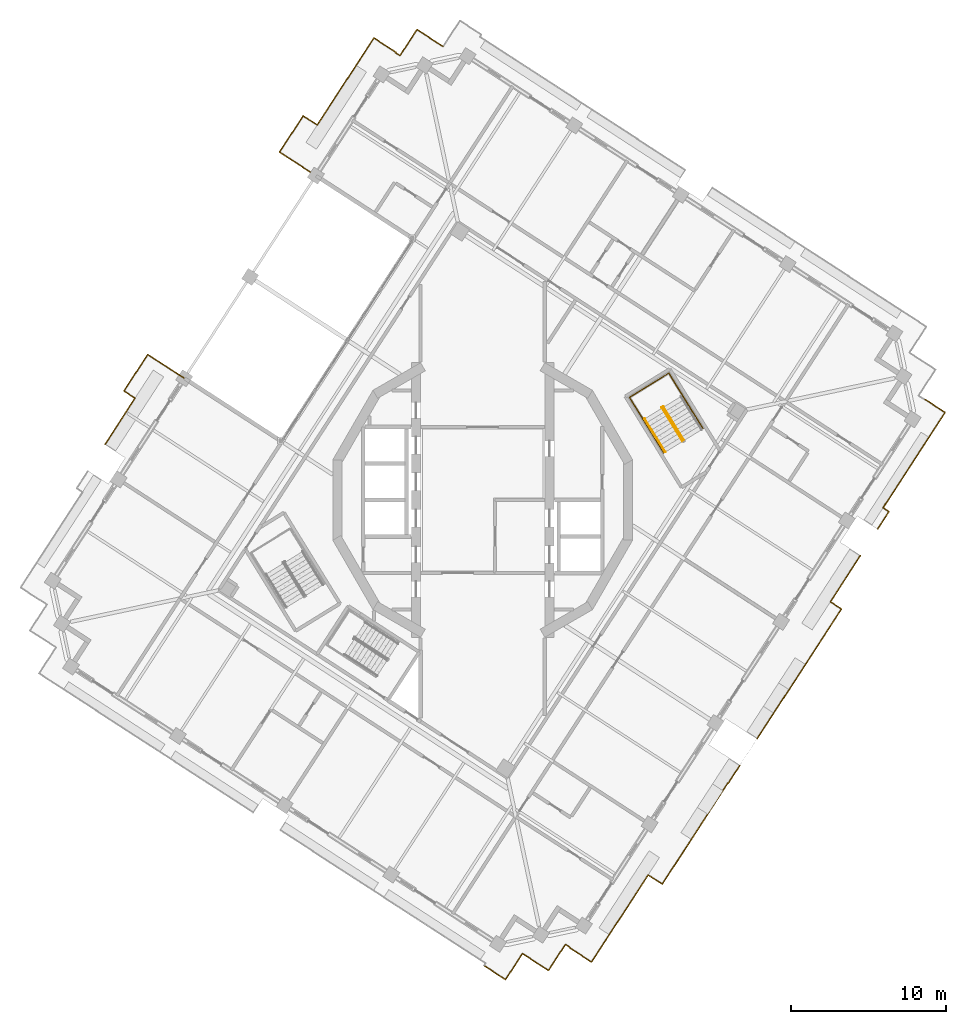
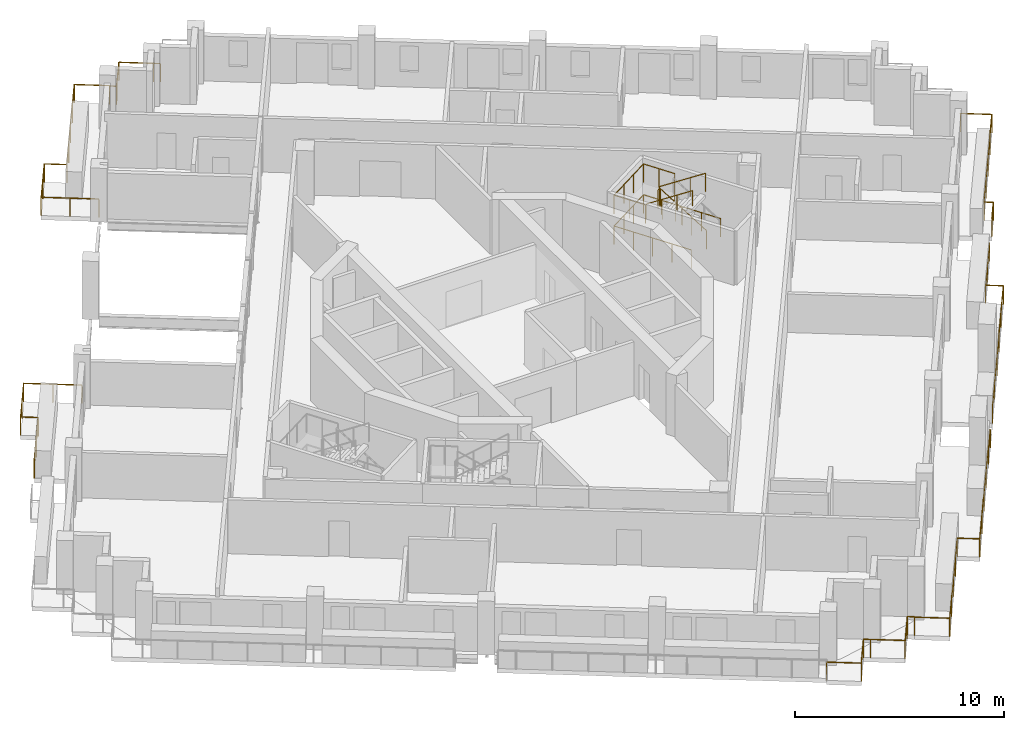
# One storey, part 14 of 17: 11 railings.
"""IFC4 building model written with IfcOpenShell, lengths in metres."""

from ifc_helpers import new_model, si_unit, direction, frame, origin, origin_2d, place, context, subcontext, project, spatial, circle, extrude, material, type_object, element, save


model = new_model("IFC4")

# Units and contexts
model_context = context("Model", 3, precision=1e-05, world=origin(), true_north=direction((0.0, 1.0)))
body_context = subcontext(model_context, "Body", "Model", "MODEL_VIEW")
ifc_project = project(units=[si_unit("LENGTHUNIT", "METRE"), si_unit("AREAUNIT", "SQUARE_METRE"), si_unit("VOLUMEUNIT", "CUBIC_METRE"), si_unit("PLANEANGLEUNIT", "RADIAN"), si_unit("MASSUNIT", "GRAM", prefix="KILO")], contexts=[model_context])

# Site, building, storey
site_placement = place(None, origin())
site = spatial("IfcSite", under=ifc_project, at=site_placement, CompositionType="ELEMENT")
building_placement = place(site_placement, origin())
building = spatial("IfcBuilding", under=site, at=building_placement, Name="Cantera Rosa Tower", CompositionType="ELEMENT")
storey_placement = place(building_placement, frame((0.0, 0.0, 286.5)))
storey = spatial("IfcBuildingStorey", under=building, at=storey_placement, Name="L65", CompositionType="ELEMENT", Elevation=286.5)

# Railings
ifc_material_1 = material(Name="Stainless steel and laminated glass", Category="steel")
railing_type_1 = type_object("IfcRailingType", Name="GUARD 1100", PredefinedType="BALUSTRADE", material=ifc_material_1)
railing_1_placement = place(storey_placement, frame((-22.405517578125, 6.5595703125, 0.0)))
element("IfcRailing", 1, at=railing_1_placement, inside=storey, type_object=railing_type_1, Name="GUARD L65-3", PredefinedType="BALUSTRADE", context=body_context, shape_type="SweptSolid", body=[
    extrude(circle(Radius=0.030029296875, at=origin_2d()), frame((0.0, 0.0, 1.070068359375), z_axis=(-0.838634313487, 0.544694857919, 0.0), x_axis=(-0.544694857919, -0.838634313487, 0.0)), (0.0, 0.0, 1.0), 0.84814453125),
    extrude(circle(Radius=0.030029296875, at=origin_2d()), frame((-0.711181640625, 0.4619140625, 1.070068359375), z_axis=(0.544640346053, 0.838669716546, 0.0), x_axis=(-0.838669716546, 0.544640346053, 0.0)), (0.0, 0.0, 1.0), 2.8115234375),
    extrude(circle(Radius=0.030029296875, at=origin_2d()), frame((0.820068359375, 2.81982421875, 1.070068359375), z_axis=(0.838677335934, -0.544628613084, 0.0), x_axis=(0.544628613084, 0.838677335934, 0.0)), (0.0, 0.0, 1.0), 2.791259765625),
    extrude(circle(Radius=0.02490234375, at=origin_2d()), origin(), (0.0, 0.0, 1.0), 1.0400390625),
    extrude(circle(Radius=0.02490234375, at=origin_2d()), frame((-0.711181640625, 0.4619140625, 0.0)), (0.0, 0.0, 1.0), 1.0400390625),
    extrude(circle(Radius=0.02490234375, at=origin_2d()), frame((0.054443359375, 1.640869140625, 0.0)), (0.0, 0.0, 1.0), 1.0400390625),
    extrude(circle(Radius=0.02490234375, at=origin_2d()), frame((0.820068359375, 2.81982421875, 0.0)), (0.0, 0.0, 1.0), 1.0400390625),
    extrude(circle(Radius=0.02490234375, at=origin_2d()), frame((1.99072265625, 2.0595703125, 0.0)), (0.0, 0.0, 1.0), 1.0400390625),
    extrude(circle(Radius=0.02490234375, at=origin_2d()), frame((3.1611328125, 1.299560546875, 0.0)), (0.0, 0.0, 1.0), 1.0400390625),
])
railing_2_placement = place(storey_placement, frame((-24.33251953125, 3.592041015625, 0.0)))
element("IfcRailing", 2, at=railing_2_placement, inside=storey, type_object=railing_type_1, Name="GUARD L65-4", PredefinedType="BALUSTRADE", context=body_context, shape_type="SweptSolid", body=[
    extrude(circle(Radius=0.030029296875, at=origin_2d()), frame((0.0, 0.0, 1.070068359375), z_axis=(0.544612376338, 0.83868787969, 0.0), x_axis=(-0.83868787969, 0.544612376338, 0.0)), (0.0, 0.0, 1.0), 3.538330078125),
    extrude(circle(Radius=0.02490234375, at=origin_2d()), origin(), (0.0, 0.0, 1.0), 1.0400390625),
    extrude(circle(Radius=0.02490234375, at=origin_2d()), frame((0.96337890625, 1.48388671875, 0.0)), (0.0, 0.0, 1.0), 1.0400390625),
    extrude(circle(Radius=0.02490234375, at=origin_2d()), frame((1.927001953125, 2.967529296875, 0.0)), (0.0, 0.0, 1.0), 1.0400390625),
])
railing_3_placement = place(storey_placement, frame((-10.769775390625, 20.908935546875, 0.0)))
element("IfcRailing", 3, at=railing_3_placement, inside=storey, type_object=railing_type_1, Name="GUARD L65-6", PredefinedType="BALUSTRADE", context=body_context, shape_type="SweptSolid", body=[
    extrude(circle(Radius=0.030029296875, at=origin_2d()), frame((0.0, 0.0, 1.070068359375), z_axis=(-0.83868139145, 0.544622367917, 0.0), x_axis=(-0.544622367917, -0.83868139145, 0.0)), (0.0, 0.0, 1.0), 2.76708984375),
    extrude(circle(Radius=0.030029296875, at=origin_2d()), frame((-2.32080078125, 1.507080078125, 1.070068359375), z_axis=(0.544674258578, 0.838647692445, 0.0), x_axis=(-0.838647692445, 0.544674258578, 0.0)), (0.0, 0.0, 1.0), 2.787109375),
    extrude(circle(Radius=0.030029296875, at=origin_2d()), frame((-0.802734375, 3.844482421875, 1.070068359375), z_axis=(0.838725681888, -0.544554157584, 0.0), x_axis=(0.544554157584, 0.838725681888, 0.0)), (0.0, 0.0, 1.0), 1.087158203125),
    extrude(circle(Radius=0.030029296875, at=origin_2d()), frame((0.109130859375, 3.25244140625, 1.070068359375), z_axis=(0.544625436899, 0.838679398509, 0.0), x_axis=(-0.838679398509, 0.544625436899, 0.0)), (0.0, 0.0, 1.0), 6.692626953125),
    extrude(circle(Radius=0.030029296875, at=origin_2d()), frame((3.754150390625, 8.865478515625, 1.070068359375), z_axis=(0.838706012202, -0.544584451758, 0.0), x_axis=(0.544584451758, 0.838706012202, 0.0)), (0.0, 0.0, 1.0), 1.699951171875),
    extrude(circle(Radius=0.030029296875, at=origin_2d()), frame((5.179931640625, 7.939697265625, 1.070068359375), z_axis=(-0.539263304262, -0.842137214875, 0.0), x_axis=(0.842137214875, -0.539263304262, 0.0)), (0.0, 0.0, 1.0), 0.032958984375),
    extrude(circle(Radius=0.030029296875, at=origin_2d()), frame((5.162109375, 7.911865234375, 1.070068359375), z_axis=(0.838644544556, -0.544679105424, 0.0), x_axis=(0.544679105424, 0.838644544556, 0.0)), (0.0, 0.0, 1.0), 0.3330078125),
    extrude(circle(Radius=0.030029296875, at=origin_2d()), frame((5.44140625, 7.73046875, 1.070068359375), z_axis=(0.544679105424, 0.838644544556, 0.0), x_axis=(-0.838644544556, 0.544679105424, 0.0)), (0.0, 0.0, 1.0), 0.3330078125),
    extrude(circle(Radius=0.030029296875, at=origin_2d()), frame((5.622802734375, 8.009765625, 1.070068359375), z_axis=(0.544519815338, 0.838747978063, 0.0), x_axis=(-0.838747978063, 0.544519815338, 0.0)), (0.0, 0.0, 1.0), 1.6669921875),
    extrude(circle(Radius=0.030029296875, at=origin_2d()), frame((6.530517578125, 9.407958984375, 1.070068359375), z_axis=(0.838681088875, -0.544622833862, 0.0), x_axis=(0.544622833862, 0.838681088875, 0.0)), (0.0, 0.0, 1.0), 1.667236328125),
    extrude(circle(Radius=0.030029296875, at=origin_2d()), frame((7.9287109375, 8.5, 1.070068359375), z_axis=(0.838644544556, -0.544679105424, 0.0), x_axis=(0.544679105424, 0.838644544556, 0.0)), (0.0, 0.0, 1.0), 0.3330078125),
    extrude(circle(Radius=0.02490234375, at=origin_2d()), origin(), (0.0, 0.0, 1.0), 1.0400390625),
    extrude(circle(Radius=0.02490234375, at=origin_2d()), frame((-1.160400390625, 0.75341796875, 0.0)), (0.0, 0.0, 1.0), 1.0400390625),
    extrude(circle(Radius=0.02490234375, at=origin_2d()), frame((-2.32080078125, 1.507080078125, 0.0)), (0.0, 0.0, 1.0), 1.0400390625),
    extrude(circle(Radius=0.02490234375, at=origin_2d()), frame((-1.561767578125, 2.67578125, 0.0)), (0.0, 0.0, 1.0), 1.0400390625),
    extrude(circle(Radius=0.02490234375, at=origin_2d()), frame((-0.802734375, 3.844482421875, 0.0)), (0.0, 0.0, 1.0), 1.0400390625),
    extrude(circle(Radius=0.02490234375, at=origin_2d()), frame((0.109130859375, 3.25244140625, 0.0)), (0.0, 0.0, 1.0), 1.0400390625),
    extrude(circle(Radius=0.02490234375, at=origin_2d()), frame((1.0205078125, 4.65576171875, 0.0)), (0.0, 0.0, 1.0), 1.0400390625),
    extrude(circle(Radius=0.02490234375, at=origin_2d()), frame((1.931640625, 6.05908203125, 0.0)), (0.0, 0.0, 1.0), 1.0400390625),
    extrude(circle(Radius=0.02490234375, at=origin_2d()), frame((2.8427734375, 7.462158203125, 0.0)), (0.0, 0.0, 1.0), 1.0400390625),
    extrude(circle(Radius=0.02490234375, at=origin_2d()), frame((3.754150390625, 8.865478515625, 0.0)), (0.0, 0.0, 1.0), 1.0400390625),
    extrude(circle(Radius=0.02490234375, at=origin_2d()), frame((5.179931640625, 7.939697265625, 0.0)), (0.0, 0.0, 1.0), 1.0400390625),
    extrude(circle(Radius=0.02490234375, at=origin_2d()), frame((5.162109375, 7.911865234375, 0.0)), (0.0, 0.0, 1.0), 1.0400390625),
    extrude(circle(Radius=0.02490234375, at=origin_2d()), frame((5.44140625, 7.73046875, 0.0)), (0.0, 0.0, 1.0), 1.0400390625),
    extrude(circle(Radius=0.02490234375, at=origin_2d()), frame((5.622802734375, 8.009765625, 0.0)), (0.0, 0.0, 1.0), 1.0400390625),
    extrude(circle(Radius=0.02490234375, at=origin_2d()), frame((6.530517578125, 9.407958984375, 0.0)), (0.0, 0.0, 1.0), 1.0400390625),
    extrude(circle(Radius=0.02490234375, at=origin_2d()), frame((7.9287109375, 8.5, 0.0)), (0.0, 0.0, 1.0), 1.0400390625),
    extrude(circle(Radius=0.02490234375, at=origin_2d()), frame((8.2080078125, 8.318603515625, 0.0)), (0.0, 0.0, 1.0), 1.0400390625),
])
railing_4_placement = place(storey_placement, frame((24.33251953125, -3.592041015625, 0.0)))
element("IfcRailing", 4, at=railing_4_placement, inside=storey, type_object=railing_type_1, Name="GUARD L65-8", PredefinedType="BALUSTRADE", context=body_context, shape_type="SweptSolid", body=[
    extrude(circle(Radius=0.030029296875, at=origin_2d()), frame((0.0, 0.0, 1.070068359375), z_axis=(-0.544612376338, -0.83868787969, 0.0), x_axis=(0.83868787969, -0.544612376338, 0.0)), (0.0, 0.0, 1.0), 3.538330078125),
    extrude(circle(Radius=0.030029296875, at=origin_2d()), frame((-1.927001953125, -2.967529296875, 1.070068359375), z_axis=(0.838634313487, -0.544694857919, 0.0), x_axis=(0.544694857919, 0.838634313487, 0.0)), (0.0, 0.0, 1.0), 0.84814453125),
    extrude(circle(Radius=0.030029296875, at=origin_2d()), frame((-1.2158203125, -3.429443359375, 1.070068359375), z_axis=(-0.544640360328, -0.838669707275, 0.0), x_axis=(0.838669707275, -0.544640360328, 0.0)), (0.0, 0.0, 1.0), 9.9638671875),
    extrude(circle(Radius=0.02490234375, at=origin_2d()), origin(), (0.0, 0.0, 1.0), 1.0400390625),
    extrude(circle(Radius=0.02490234375, at=origin_2d()), frame((-0.96337890625, -1.48388671875, 0.0)), (0.0, 0.0, 1.0), 1.0400390625),
    extrude(circle(Radius=0.02490234375, at=origin_2d()), frame((-1.927001953125, -2.967529296875, 0.0)), (0.0, 0.0, 1.0), 1.0400390625),
    extrude(circle(Radius=0.02490234375, at=origin_2d()), frame((-1.2158203125, -3.429443359375, 0.0)), (0.0, 0.0, 1.0), 1.0400390625),
    extrude(circle(Radius=0.02490234375, at=origin_2d()), frame((-2.30126953125, -5.100830078125, 0.0)), (0.0, 0.0, 1.0), 1.0400390625),
    extrude(circle(Radius=0.02490234375, at=origin_2d()), frame((-3.386474609375, -6.77197265625, 0.0)), (0.0, 0.0, 1.0), 1.0400390625),
    extrude(circle(Radius=0.02490234375, at=origin_2d()), frame((-4.471923828125, -8.443359375, 0.0)), (0.0, 0.0, 1.0), 1.0400390625),
    extrude(circle(Radius=0.02490234375, at=origin_2d()), frame((-5.55712890625, -10.114501953125, 0.0)), (0.0, 0.0, 1.0), 1.0400390625),
    extrude(circle(Radius=0.02490234375, at=origin_2d()), frame((-6.642578125, -11.785888671875, 0.0)), (0.0, 0.0, 1.0), 1.0400390625),
])
railing_5_placement = place(storey_placement, frame((16.570556640625, -17.101806640625, 0.0)))
element("IfcRailing", 5, at=railing_5_placement, inside=storey, type_object=railing_type_1, Name="GUARD L65-9", PredefinedType="BALUSTRADE", context=body_context, shape_type="SweptSolid", body=[
    extrude(circle(Radius=0.030029296875, at=origin_2d()), frame((0.0, 0.0, 1.070068359375), z_axis=(-0.544684420792, -0.838641092331, 0.0), x_axis=(0.838641092331, -0.544684420792, 0.0)), (0.0, 0.0, 1.0), 1.3837890625),
    extrude(circle(Radius=0.030029296875, at=origin_2d()), frame((-0.753662109375, -1.160400390625, 1.070068359375), z_axis=(-0.838212809447, 0.545343273616, 0.0), x_axis=(-0.545343273616, -0.838212809447, 0.0)), (0.0, 0.0, 1.0), 0.024169921875),
    extrude(circle(Radius=0.030029296875, at=origin_2d()), frame((-0.77392578125, -1.147216796875, 1.070068359375), z_axis=(-0.544649727066, -0.838663624349, 0.0), x_axis=(0.838663624349, -0.544649727066, 0.0)), (0.0, 0.0, 1.0), 7.755615234375),
    extrude(circle(Radius=0.030029296875, at=origin_2d()), frame((-4.998046875, -7.651611328125, 1.070068359375), z_axis=(-0.838725681888, 0.544554157584, 0.0), x_axis=(-0.544554157584, -0.838725681888, 0.0)), (0.0, 0.0, 1.0), 1.087158203125),
    extrude(circle(Radius=0.030029296875, at=origin_2d()), frame((-5.909912109375, -7.0595703125, 1.070068359375), z_axis=(-0.544625436899, -0.838679398509, 0.0), x_axis=(0.838679398509, -0.544625436899, 0.0)), (0.0, 0.0, 1.0), 6.692626953125),
    extrude(circle(Radius=0.030029296875, at=origin_2d()), frame((-9.554931640625, -12.672607421875, 1.070068359375), z_axis=(-0.838706012202, 0.544584451758, 0.0), x_axis=(-0.544584451758, -0.838706012202, 0.0)), (0.0, 0.0, 1.0), 1.699951171875),
    extrude(circle(Radius=0.030029296875, at=origin_2d()), frame((-10.980712890625, -11.746826171875, 1.070068359375), z_axis=(0.539263304262, 0.842137214875, 0.0), x_axis=(-0.842137214875, 0.539263304262, 0.0)), (0.0, 0.0, 1.0), 0.032958984375),
    extrude(circle(Radius=0.030029296875, at=origin_2d()), frame((-10.962890625, -11.718994140625, 1.070068359375), z_axis=(-0.838644544556, 0.544679105424, 0.0), x_axis=(-0.544679105424, -0.838644544556, 0.0)), (0.0, 0.0, 1.0), 0.3330078125),
    extrude(circle(Radius=0.030029296875, at=origin_2d()), frame((-11.2421875, -11.53759765625, 1.070068359375), z_axis=(-0.544679105424, -0.838644544556, 0.0), x_axis=(0.838644544556, -0.544679105424, 0.0)), (0.0, 0.0, 1.0), 0.3330078125),
    extrude(circle(Radius=0.030029296875, at=origin_2d()), frame((-11.423583984375, -11.81689453125, 1.070068359375), z_axis=(-0.544519815338, -0.838747978063, 0.0), x_axis=(0.838747978063, -0.544519815338, 0.0)), (0.0, 0.0, 1.0), 1.6669921875),
    extrude(circle(Radius=0.030029296875, at=origin_2d()), frame((-12.331298828125, -13.215087890625, 1.070068359375), z_axis=(-0.838681088875, 0.544622833862, 0.0), x_axis=(-0.544622833862, -0.838681088875, 0.0)), (0.0, 0.0, 1.0), 1.667236328125),
    extrude(circle(Radius=0.030029296875, at=origin_2d()), frame((-13.7294921875, -12.30712890625, 1.070068359375), z_axis=(-0.838644544556, 0.544679105424, 0.0), x_axis=(-0.544679105424, -0.838644544556, 0.0)), (0.0, 0.0, 1.0), 0.3330078125),
    extrude(circle(Radius=0.030029296875, at=origin_2d()), frame((-14.0087890625, -12.125732421875, 1.070068359375), z_axis=(-0.54460209718, -0.8386945545, 0.0), x_axis=(0.8386945545, -0.54460209718, 0.0)), (0.0, 0.0, 1.0), 1.999755859375),
    extrude(circle(Radius=0.030029296875, at=origin_2d()), frame((-15.097900390625, -13.802978515625, 1.070068359375), z_axis=(-0.838747978063, 0.544519815338, 0.0), x_axis=(-0.544519815338, -0.838747978063, 0.0)), (0.0, 0.0, 1.0), 1.6669921875),
    extrude(circle(Radius=0.02490234375, at=origin_2d()), origin(), (0.0, 0.0, 1.0), 1.0400390625),
    extrude(circle(Radius=0.02490234375, at=origin_2d()), frame((-0.753662109375, -1.160400390625, 0.0)), (0.0, 0.0, 1.0), 1.0400390625),
    extrude(circle(Radius=0.02490234375, at=origin_2d()), frame((-0.77392578125, -1.147216796875, 0.0)), (0.0, 0.0, 1.0), 1.0400390625),
    extrude(circle(Radius=0.02490234375, at=origin_2d()), frame((-1.830078125, -2.7734375, 0.0)), (0.0, 0.0, 1.0), 1.0400390625),
    extrude(circle(Radius=0.02490234375, at=origin_2d()), frame((-2.885986328125, -4.3994140625, 0.0)), (0.0, 0.0, 1.0), 1.0400390625),
    extrude(circle(Radius=0.02490234375, at=origin_2d()), frame((-3.94189453125, -6.025390625, 0.0)), (0.0, 0.0, 1.0), 1.0400390625),
    extrude(circle(Radius=0.02490234375, at=origin_2d()), frame((-4.998046875, -7.651611328125, 0.0)), (0.0, 0.0, 1.0), 1.0400390625),
    extrude(circle(Radius=0.02490234375, at=origin_2d()), frame((-5.909912109375, -7.0595703125, 0.0)), (0.0, 0.0, 1.0), 1.0400390625),
    extrude(circle(Radius=0.02490234375, at=origin_2d()), frame((-6.8212890625, -8.462890625, 0.0)), (0.0, 0.0, 1.0), 1.0400390625),
    extrude(circle(Radius=0.02490234375, at=origin_2d()), frame((-7.732421875, -9.8662109375, 0.0)), (0.0, 0.0, 1.0), 1.0400390625),
    extrude(circle(Radius=0.02490234375, at=origin_2d()), frame((-8.6435546875, -11.269287109375, 0.0)), (0.0, 0.0, 1.0), 1.0400390625),
    extrude(circle(Radius=0.02490234375, at=origin_2d()), frame((-9.554931640625, -12.672607421875, 0.0)), (0.0, 0.0, 1.0), 1.0400390625),
    extrude(circle(Radius=0.02490234375, at=origin_2d()), frame((-10.980712890625, -11.746826171875, 0.0)), (0.0, 0.0, 1.0), 1.0400390625),
    extrude(circle(Radius=0.02490234375, at=origin_2d()), frame((-10.962890625, -11.718994140625, 0.0)), (0.0, 0.0, 1.0), 1.0400390625),
    extrude(circle(Radius=0.02490234375, at=origin_2d()), frame((-11.2421875, -11.53759765625, 0.0)), (0.0, 0.0, 1.0), 1.0400390625),
    extrude(circle(Radius=0.02490234375, at=origin_2d()), frame((-11.423583984375, -11.81689453125, 0.0)), (0.0, 0.0, 1.0), 1.0400390625),
    extrude(circle(Radius=0.02490234375, at=origin_2d()), frame((-12.331298828125, -13.215087890625, 0.0)), (0.0, 0.0, 1.0), 1.0400390625),
    extrude(circle(Radius=0.02490234375, at=origin_2d()), frame((-13.7294921875, -12.30712890625, 0.0)), (0.0, 0.0, 1.0), 1.0400390625),
    extrude(circle(Radius=0.02490234375, at=origin_2d()), frame((-14.0087890625, -12.125732421875, 0.0)), (0.0, 0.0, 1.0), 1.0400390625),
    extrude(circle(Radius=0.02490234375, at=origin_2d()), frame((-15.097900390625, -13.802978515625, 0.0)), (0.0, 0.0, 1.0), 1.0400390625),
    extrude(circle(Radius=0.02490234375, at=origin_2d()), frame((-16.49609375, -12.895263671875, 0.0)), (0.0, 0.0, 1.0), 1.0400390625),
])
railing_6_placement = place(storey_placement, frame((28.51904296875, 6.45947265625, 0.0)))
element("IfcRailing", 6, at=railing_6_placement, inside=storey, type_object=railing_type_1, Name="GUARD L65-10", PredefinedType="BALUSTRADE", context=body_context, shape_type="SweptSolid", body=[
    extrude(circle(Radius=0.030029296875, at=origin_2d()), frame((0.0, 0.0, 1.070068359375), z_axis=(0.549177886661, 0.835705479701, 0.0), x_axis=(-0.835705479701, 0.549177886661, 0.0)), (0.0, 0.0, 1.0), 0.01025390625),
    extrude(circle(Radius=0.030029296875, at=origin_2d()), frame((0.005615234375, 0.008544921875, 1.070068359375), z_axis=(0.838631955589, -0.544698488216, 0.0), x_axis=(0.544698488216, 0.838631955589, 0.0)), (0.0, 0.0, 1.0), 1.510009765625),
    extrude(circle(Radius=0.030029296875, at=origin_2d()), frame((1.27197265625, -0.81396484375, 1.070068359375), z_axis=(-0.544617010078, -0.838684870696, 0.0), x_axis=(0.838684870696, -0.544617010078, 0.0)), (0.0, 0.0, 1.0), 7.32666015625),
    extrude(circle(Radius=0.030029296875, at=origin_2d()), frame((-2.71826171875, -6.958740234375, 1.070068359375), z_axis=(0.838701967794, -0.544590680437, 0.0), x_axis=(0.544590680437, 0.838701967794, 0.0)), (0.0, 0.0, 1.0), 0.453125),
    extrude(circle(Radius=0.030029296875, at=origin_2d()), frame((-2.338134765625, -7.20556640625, 1.070068359375), z_axis=(-0.544730886847, -0.838610911516, 0.0), x_axis=(0.838610911516, -0.544730886847, 0.0)), (0.0, 0.0, 1.0), 1.333251953125),
    extrude(circle(Radius=0.02490234375, at=origin_2d()), origin(), (0.0, 0.0, 1.0), 1.0400390625),
    extrude(circle(Radius=0.02490234375, at=origin_2d()), frame((0.005615234375, 0.008544921875, 0.0)), (0.0, 0.0, 1.0), 1.0400390625),
    extrude(circle(Radius=0.02490234375, at=origin_2d()), frame((1.27197265625, -0.81396484375, 0.0)), (0.0, 0.0, 1.0), 1.0400390625),
    extrude(circle(Radius=0.02490234375, at=origin_2d()), frame((0.2744140625, -2.35009765625, 0.0)), (0.0, 0.0, 1.0), 1.0400390625),
    extrude(circle(Radius=0.02490234375, at=origin_2d()), frame((-0.72314453125, -3.88623046875, 0.0)), (0.0, 0.0, 1.0), 1.0400390625),
    extrude(circle(Radius=0.02490234375, at=origin_2d()), frame((-1.720703125, -5.422607421875, 0.0)), (0.0, 0.0, 1.0), 1.0400390625),
    extrude(circle(Radius=0.02490234375, at=origin_2d()), frame((-2.71826171875, -6.958740234375, 0.0)), (0.0, 0.0, 1.0), 1.0400390625),
    extrude(circle(Radius=0.02490234375, at=origin_2d()), frame((-2.338134765625, -7.20556640625, 0.0)), (0.0, 0.0, 1.0), 1.0400390625),
    extrude(circle(Radius=0.02490234375, at=origin_2d()), frame((-3.064453125, -8.32373046875, 0.0)), (0.0, 0.0, 1.0), 1.0400390625),
])
ifc_material_2 = material(Name="Steel S355J2 (EN 10025-2)", Category="steel")
railing_type_2 = type_object("IfcRailingType", Name="STAIR GUARD 1100", PredefinedType="GUARDRAIL", material=ifc_material_2)
railing_7_placement = place(storey_placement, frame((12.9765625, 3.834228515625, 0.179931640625)))
element("IfcRailing", 7, at=railing_7_placement, inside=storey, type_object=railing_type_2, Name="L65 ST-51 stair guard 1", PredefinedType="GUARDRAIL", context=body_context, shape_type="SweptSolid", body=[
    extrude(circle(Radius=0.02392578125, at=origin_2d()), frame((0.0, 0.0, 1.076171875), z_axis=(-0.44154346381, 0.715939337315, 0.540805172729), x_axis=(-0.851145618652, -0.524929648476, 0.0)), (0.0, 0.0, 1.0), 2.995849609375),
    extrude(circle(Radius=0.02392578125, at=origin_2d()), frame((-1.32275390625, 2.144775390625, 2.6962890625), z_axis=(-0.073711968402, 0.997279572494, 0.0), x_axis=(-0.997279572494, -0.073711968402, 0.0)), (0.0, 0.0, 1.0), 0.056396484375),
    extrude(circle(Radius=0.02392578125, at=origin_2d()), frame((-1.326904296875, 2.200927734375, 2.6962890625), z_axis=(-0.851546489876, -0.524279100842, 0.0), x_axis=(0.524279100842, -0.851546489876, 0.0)), (0.0, 0.0, 1.0), 0.14990234375),
    extrude(circle(Radius=0.02099609375, at=origin_2d()), origin(), (0.0, 0.0, 1.0), 1.052001953125),
    extrude(circle(Radius=0.02099609375, at=origin_2d()), frame((-0.44091796875, 0.71484375, 0.5400390625)), (0.0, 0.0, 1.0), 1.052001953125),
    extrude(circle(Radius=0.02099609375, at=origin_2d()), frame((-0.8818359375, 1.429931640625, 1.080078125)), (0.0, 0.0, 1.0), 1.052001953125),
    extrude(circle(Radius=0.02099609375, at=origin_2d()), frame((-1.32275390625, 2.144775390625, 1.6201171875)), (0.0, 0.0, 1.0), 1.052001953125),
    extrude(circle(Radius=0.02099609375, at=origin_2d()), frame((-1.326904296875, 2.200927734375, 1.6201171875)), (0.0, 0.0, 1.0), 1.052001953125),
    extrude(circle(Radius=0.02099609375, at=origin_2d()), frame((-1.45458984375, 2.122314453125, 1.6201171875)), (0.0, 0.0, 1.0), 1.052001953125),
])
railing_8_placement = place(storey_placement, frame((11.5703125, 5.927490234375, 1.97998046875)))
element("IfcRailing", 8, at=railing_8_placement, inside=storey, type_object=railing_type_2, Name="L65 ST-51 stair guard 2", PredefinedType="GUARDRAIL", context=body_context, shape_type="SweptSolid", body=[
    extrude(circle(Radius=0.02392578125, at=origin_2d()), frame((0.0, 0.0, 1.076171875), z_axis=(0.441609067481, -0.715913574058, 0.540785711718), x_axis=(0.851102330005, 0.524999832248, 0.0)), (0.0, 0.0, 1.0), 2.995849609375),
    extrude(circle(Radius=0.02099609375, at=origin_2d()), origin(), (0.0, 0.0, 1.0), 1.052001953125),
    extrude(circle(Radius=0.02099609375, at=origin_2d()), frame((0.44091796875, -0.71484375, 0.5400390625)), (0.0, 0.0, 1.0), 1.052001953125),
    extrude(circle(Radius=0.02099609375, at=origin_2d()), frame((0.882080078125, -1.429931640625, 1.080078125)), (0.0, 0.0, 1.0), 1.052001953125),
    extrude(circle(Radius=0.02099609375, at=origin_2d()), frame((1.322998046875, -2.144775390625, 1.6201171875)), (0.0, 0.0, 1.0), 1.052001953125),
])
railing_9_placement = place(storey_placement, frame((14.192626953125, 4.59814453125, 0.0)))
element("IfcRailing", 9, at=railing_9_placement, inside=storey, type_object=railing_type_2, Name="L65 ST-51 stair guard 4", PredefinedType="GUARDRAIL", context=body_context, shape_type="SweptSolid", body=[
    extrude(circle(Radius=0.02392578125, at=origin_2d()), frame((0.0, 0.0, 1.076171875), z_axis=(-0.524976478809, 0.851116735059, 0.0), x_axis=(-0.851116735059, -0.524976478809, 0.0)), (0.0, 0.0, 1.0), 4.197998046875),
    extrude(circle(Radius=0.02392578125, at=origin_2d()), frame((-2.203857421875, 3.572998046875, 1.076171875), z_axis=(-0.851132917336, -0.524950242429, 0.0), x_axis=(0.524950242429, -0.851132917336, 0.0)), (0.0, 0.0, 1.0), 2.969970703125),
    extrude(circle(Radius=0.02392578125, at=origin_2d()), frame((-4.731689453125, 2.013916015625, 1.076171875), z_axis=(0.524976478809, -0.851116735059, 0.0), x_axis=(0.851116735059, 0.524976478809, 0.0)), (0.0, 0.0, 1.0), 4.197998046875),
    extrude(circle(Radius=0.02099609375, at=origin_2d()), origin(), (0.0, 0.0, 1.0), 1.052001953125),
    extrude(circle(Radius=0.02099609375, at=origin_2d()), frame((-0.551025390625, 0.893310546875, 0.0)), (0.0, 0.0, 1.0), 1.052001953125),
    extrude(circle(Radius=0.02099609375, at=origin_2d()), frame((-1.10205078125, 1.78662109375, 0.0)), (0.0, 0.0, 1.0), 1.052001953125),
    extrude(circle(Radius=0.02099609375, at=origin_2d()), frame((-1.65283203125, 2.6796875, 0.0)), (0.0, 0.0, 1.0), 1.052001953125),
    extrude(circle(Radius=0.02099609375, at=origin_2d()), frame((-2.203857421875, 3.572998046875, 0.0)), (0.0, 0.0, 1.0), 1.052001953125),
    extrude(circle(Radius=0.02099609375, at=origin_2d()), frame((-3.04638671875, 3.05322265625, 0.0)), (0.0, 0.0, 1.0), 1.052001953125),
    extrude(circle(Radius=0.02099609375, at=origin_2d()), frame((-3.88916015625, 2.53369140625, 0.0)), (0.0, 0.0, 1.0), 1.052001953125),
    extrude(circle(Radius=0.02099609375, at=origin_2d()), frame((-4.731689453125, 2.013916015625, 0.0)), (0.0, 0.0, 1.0), 1.052001953125),
    extrude(circle(Radius=0.02099609375, at=origin_2d()), frame((-4.1806640625, 1.12060546875, 0.0)), (0.0, 0.0, 1.0), 1.052001953125),
    extrude(circle(Radius=0.02099609375, at=origin_2d()), frame((-3.6298828125, 0.2275390625, 0.0)), (0.0, 0.0, 1.0), 1.052001953125),
    extrude(circle(Radius=0.02099609375, at=origin_2d()), frame((-3.078857421875, -0.665771484375, 0.0)), (0.0, 0.0, 1.0), 1.052001953125),
    extrude(circle(Radius=0.02099609375, at=origin_2d()), frame((-2.52783203125, -1.55908203125, 0.0)), (0.0, 0.0, 1.0), 1.052001953125),
])
railing_10_placement = place(storey_placement, frame((12.88232421875, 6.72265625, 1.800048828125)))
element("IfcRailing", 10, at=railing_10_placement, inside=storey, type_object=railing_type_2, Name="L65 ST-51 stair guard 5", PredefinedType="GUARDRAIL", context=body_context, shape_type="SweptSolid", body=[
    extrude(circle(Radius=0.02392578125, at=origin_2d()), frame((0.0, 0.0, 1.076171875), z_axis=(-0.525025534833, 0.851086474909, 0.0), x_axis=(-0.851086474909, -0.525025534833, 0.0)), (0.0, 0.0, 1.0), 1.701904296875),
    extrude(circle(Radius=0.02392578125, at=origin_2d()), frame((-0.8935546875, 1.448486328125, 1.076171875), z_axis=(-0.851132917336, -0.524950242429, 0.0), x_axis=(0.524950242429, -0.851132917336, 0.0)), (0.0, 0.0, 1.0), 2.969970703125),
    extrude(circle(Radius=0.02392578125, at=origin_2d()), frame((-3.42138671875, -0.110595703125, 1.076171875), z_axis=(0.524961441845, -0.851126009811, 0.0), x_axis=(0.851126009811, 0.524961441845, 0.0)), (0.0, 0.0, 1.0), 1.7021484375),
    extrude(circle(Radius=0.02099609375, at=origin_2d()), origin(), (0.0, 0.0, 1.0), 1.052001953125),
    extrude(circle(Radius=0.02099609375, at=origin_2d()), frame((-0.44677734375, 0.72412109375, 0.0)), (0.0, 0.0, 1.0), 1.052001953125),
    extrude(circle(Radius=0.02099609375, at=origin_2d()), frame((-0.8935546875, 1.448486328125, 0.0)), (0.0, 0.0, 1.0), 1.052001953125),
    extrude(circle(Radius=0.02099609375, at=origin_2d()), frame((-1.736083984375, 0.9287109375, 0.0)), (0.0, 0.0, 1.0), 1.052001953125),
    extrude(circle(Radius=0.02099609375, at=origin_2d()), frame((-2.578857421875, 0.4091796875, 0.0)), (0.0, 0.0, 1.0), 1.052001953125),
    extrude(circle(Radius=0.02099609375, at=origin_2d()), frame((-3.42138671875, -0.110595703125, 0.0)), (0.0, 0.0, 1.0), 1.052001953125),
    extrude(circle(Radius=0.02099609375, at=origin_2d()), frame((-2.974609375, -0.8349609375, 0.0)), (0.0, 0.0, 1.0), 1.052001953125),
    extrude(circle(Radius=0.02099609375, at=origin_2d()), frame((-2.52783203125, -1.559326171875, 0.0)), (0.0, 0.0, 1.0), 1.052001953125),
])
ifc_material_3 = material(Name="Steel S355J2 (EN 10025-2)", Category="steel")
railing_type_3 = type_object("IfcRailingType", Name="STAIR HANDRAIL 900", PredefinedType="HANDRAIL", material=ifc_material_3)
railing_11_placement = place(storey_placement, frame((10.441650390625, 5.2314453125, 1.97998046875)))
element("IfcRailing", 11, at=railing_11_placement, inside=storey, type_object=railing_type_3, Name="L65 ST-51 stair handrail 2", PredefinedType="HANDRAIL", context=body_context, shape_type="SweptSolid", body=[
    extrude(circle(Radius=0.02392578125, at=origin_2d()), frame((0.0, 0.0, 0.8759765625), z_axis=(0.441609067481, -0.715913574058, 0.540785711718), x_axis=(0.851102330005, 0.524999832248, 0.0)), (0.0, 0.0, 1.0), 2.995849609375),
    extrude(circle(Radius=0.02099609375, at=origin_2d()), origin(), (0.0, 0.0, 1.0), 0.851806640625),
    extrude(circle(Radius=0.02099609375, at=origin_2d()), frame((0.44091796875, -0.71484375, 0.5400390625)), (0.0, 0.0, 1.0), 0.851806640625),
    extrude(circle(Radius=0.02099609375, at=origin_2d()), frame((0.882080078125, -1.429931640625, 1.080078125)), (0.0, 0.0, 1.0), 0.851806640625),
    extrude(circle(Radius=0.02099609375, at=origin_2d()), frame((1.322998046875, -2.144775390625, 1.6201171875)), (0.0, 0.0, 1.0), 0.851806640625),
])

save(model, "model.ifc")
